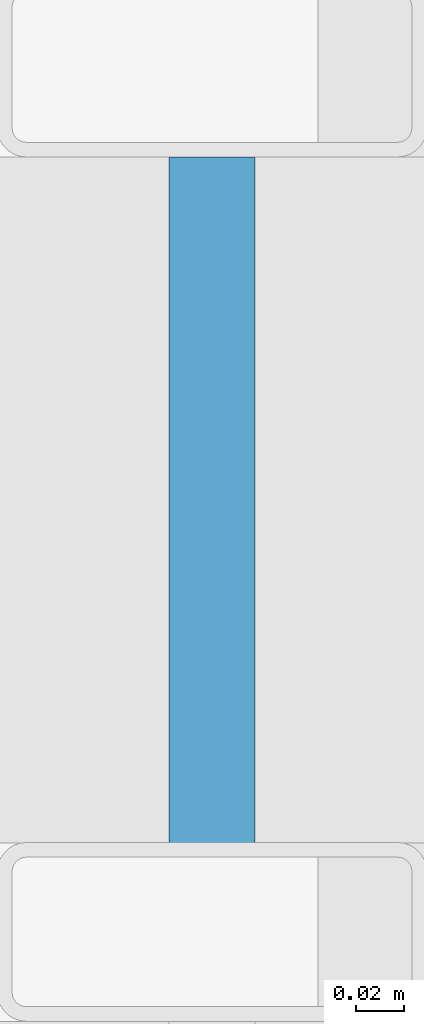
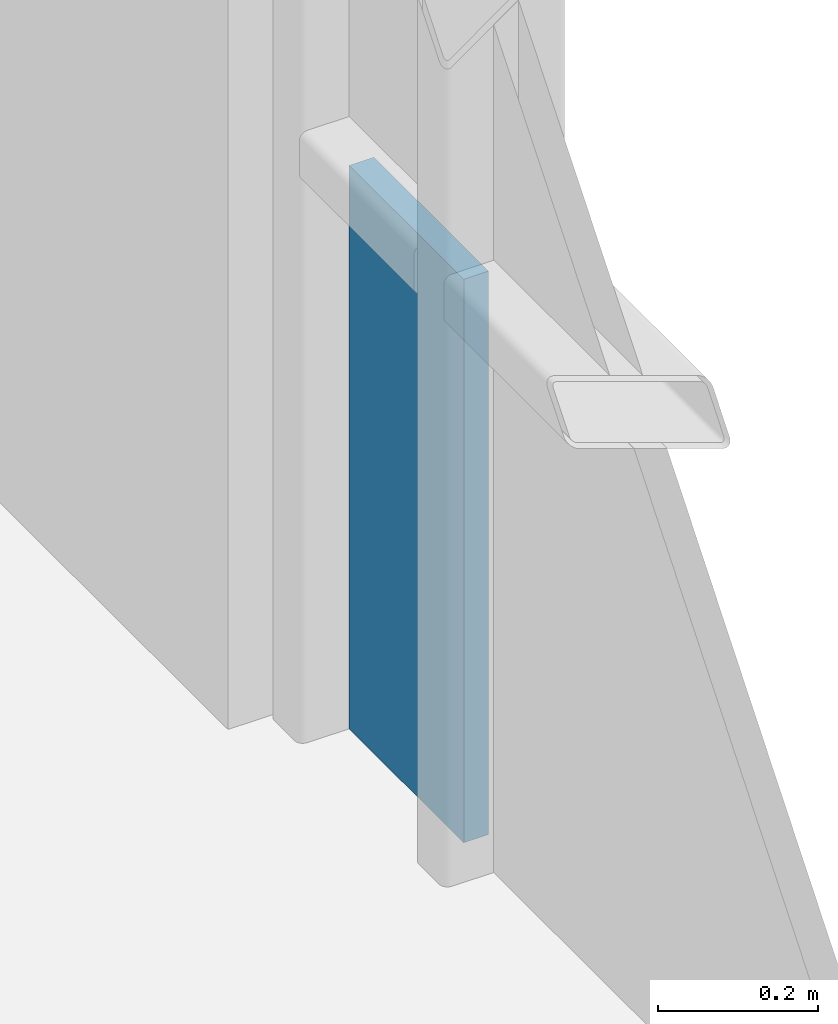
# One storey, part 13 of 18: 1 plate, 1 element without a shape of its own.
"""IFC4 building model written with IfcOpenShell, lengths in metres."""

import ifcopenshell
import ifcopenshell.guid

model = None  # the IFC model being written
_history = None  # IfcOwnerHistory: only IFC2X3 demands one
_inside = {}  # id of a spatial element -> (the spatial element, [elements in it])
_under = {}  # id of a project, library or spatial element -> (it, [spatial elements below it])
_declared = {}  # id of a project -> (the project, [libraries it declares])
_typed = {}  # id of a type object -> (the type object, [elements of that type])
_made_of = {}  # id of a material, layer set ... -> (it, [elements and type objects made of it])


def new_model(schema):
    """Start an empty IFC model of exactly this schema.

    Asked for "IFC4X3", IfcOpenShell would pick the latest addendum, in which some entities
    have other attributes; the version numbers below select the first issue.
    IFC2X3 requires an IfcOwnerHistory on every rooted entity: one is made here for all.
    """
    global model, _history
    if schema == "IFC4X3":
        model = ifcopenshell.file(schema_version=(4, 3, 0, 0))
    else:
        model = ifcopenshell.file(schema=schema)
    _inside.clear()
    _under.clear()
    _declared.clear()
    _typed.clear()
    _made_of.clear()
    _history = None
    if model.schema == "IFC2X3":
        org = make("IfcOrganization", Name="unknown")
        user = make(
            "IfcPersonAndOrganization",
            ThePerson=make("IfcPerson", FamilyName="unknown"),
            TheOrganization=org,
        )
        app = make(
            "IfcApplication",
            ApplicationDeveloper=org,
            Version="unknown",
            ApplicationFullName="unknown",
            ApplicationIdentifier="unknown",
        )
        _history = make(
            "IfcOwnerHistory",
            OwningUser=user,
            OwningApplication=app,
            ChangeAction="ADDED",
            CreationDate=0,
        )
    return model


def make(cls, **values):
    """One entity of the class cls with the attributes given. An attribute that is None is left unset."""
    return model.create_entity(
        cls, **{name: value for name, value in values.items() if value is not None}
    )


def rooted(cls, **values):
    """An entity with a GlobalId (a new one), such as an element, a storey or a relation."""
    return make(cls, GlobalId=ifcopenshell.guid.new(), OwnerHistory=_history, **values)


def si_unit(unit_type, name, prefix=None):
    """IfcSIUnit, for example si_unit("LENGTHUNIT", "METRE", prefix="MILLI")."""
    return make("IfcSIUnit", UnitType=unit_type, Prefix=prefix, Name=name)


def assignment(units):
    """IfcUnitAssignment: the units of a project."""
    return None if units is None else make("IfcUnitAssignment", Units=units)


def point(xyz):
    """IfcCartesianPoint."""
    return None if xyz is None else make("IfcCartesianPoint", Coordinates=xyz)


def direction(xyz):
    """IfcDirection."""
    return None if xyz is None else make("IfcDirection", DirectionRatios=xyz)


def frame(location, z_axis=None, x_axis=None):
    """IfcAxis2Placement3D, a coordinate frame: its origin and axes. An axis left out is left unset."""
    return make(
        "IfcAxis2Placement3D",
        Location=point(location),
        Axis=direction(z_axis),
        RefDirection=direction(x_axis),
    )


def frame_2d(location, x_axis=None):
    """IfcAxis2Placement2D, a coordinate frame in the plane: its origin and x axis."""
    return make(
        "IfcAxis2Placement2D", Location=point(location), RefDirection=direction(x_axis)
    )


def origin():
    """The frame at (0, 0, 0) with its axes left unset."""
    return frame((0.0, 0.0, 0.0))


def origin_2d():
    """The frame at (0, 0) in the plane with its x axis left unset."""
    return frame_2d((0.0, 0.0))


def place(relative_to, where):
    """IfcLocalPlacement: puts the frame where relative to a parent placement (None: the world)."""
    return make(
        "IfcLocalPlacement", PlacementRelTo=relative_to, RelativePlacement=where
    )


def context(
    kind, dimensions, precision=None, world=None, true_north=None, identifier=None
):
    """IfcGeometricRepresentationContext, for example the 3D "Model" context."""
    return make(
        "IfcGeometricRepresentationContext",
        ContextIdentifier=identifier,
        ContextType=kind,
        CoordinateSpaceDimension=dimensions,
        Precision=precision,
        WorldCoordinateSystem=world,
        TrueNorth=true_north,
    )


def subcontext(parent, identifier, kind, view, scale=None):
    """IfcGeometricRepresentationSubContext, for example "Body" below "Model"."""
    return make(
        "IfcGeometricRepresentationSubContext",
        ContextIdentifier=identifier,
        ContextType=kind,
        ParentContext=parent,
        TargetScale=scale,
        TargetView=view,
    )


def project(units=None, contexts=None):
    """IfcProject with its units and contexts."""
    return rooted(
        "IfcProject",
        Name="project",
        RepresentationContexts=contexts,
        UnitsInContext=assignment(units),
    )


def spatial(cls, under=None, at=None, **own):
    """A site, building, storey or space (cls), placed at a placement, below another one or the project."""
    s = rooted(cls, ObjectPlacement=at, **own)
    if under is not None:
        _under.setdefault(under.id(), (under, []))[1].append(s)
    return s


def profile(cls, at=None, kind="AREA", **sizes):
    """A parametric profile (cls). Its sizes go by their IFC names, for example OverallWidth=200.0."""
    return make(cls, ProfileType=kind, Position=at, **sizes)


def rectangle(**sizes):
    """IfcRectangleProfileDef."""
    return profile("IfcRectangleProfileDef", **sizes)


def extrude(swept, where, along, depth):
    """IfcExtrudedAreaSolid: the profile swept, set in the frame where, extruded along a direction by depth."""
    return make(
        "IfcExtrudedAreaSolid",
        SweptArea=swept,
        Position=where,
        ExtrudedDirection=direction(along),
        Depth=depth,
    )


def shape(context_of_items, identifier, shape_type, items):
    """IfcShapeRepresentation: the items that make up one representation, for example the "Body"."""
    return make(
        "IfcShapeRepresentation",
        ContextOfItems=context_of_items,
        RepresentationIdentifier=identifier,
        RepresentationType=shape_type,
        Items=items,
    )


def material(Name=None, Category=None):
    """IfcMaterial."""
    return make("IfcMaterial", Name=Name, Category=Category)


def layer(
    of_material, thickness, ventilated=None, Name=None, Category=None, Priority=None
):
    """IfcMaterialLayer: one layer of a wall or slab, of a material (None: an air gap)."""
    return make(
        "IfcMaterialLayer",
        Material=of_material,
        LayerThickness=thickness,
        IsVentilated=ventilated,
        Name=Name,
        Category=Category,
        Priority=Priority,
    )


def layer_set(layers, Name=None):
    """IfcMaterialLayerSet."""
    return make("IfcMaterialLayerSet", MaterialLayers=layers, LayerSetName=Name)


def made_of(thing, what):
    """Note that an element or type object is made of a material, layer set ...; save() writes the relation."""
    if what is not None:
        _made_of.setdefault(what.id(), (what, []))[1].append(thing)
    return thing


def type_object(cls, material=None, **own):
    """A type object (cls), such as IfcWallType, which elements share."""
    return made_of(rooted(cls, **own), material)


def element(
    cls,
    number,
    at=None,
    inside=None,
    cuts=None,
    type_object=None,
    material=None,
    context=None,
    identifier="Body",
    shape_type=None,
    held_by="IfcProductDefinitionShape",
    body=None,
    shapes=None,
    **own,
):
    """One element of the class cls, such as IfcWall. Its Tag is "e" and its number.

    at: its placement. inside: the storey or other place that contains it. cuts: it is an
    opening in that element (IfcRelVoidsElement). A single representation is given by context,
    identifier, shape_type and body (its items); several are given by shapes. held_by: the class
    of the entity that holds the representations. save() writes the other relations.
    """
    e = rooted(cls, Tag="e%d" % number, ObjectPlacement=at, **own)
    if body is not None:
        shapes = [shape(context, identifier, shape_type, body)]
    if shapes is not None:
        e.Representation = make(held_by, Representations=shapes)
    if inside is not None:
        _inside.setdefault(inside.id(), (inside, []))[1].append(e)
    if cuts is not None:
        rooted(
            "IfcRelVoidsElement", RelatingBuildingElement=cuts, RelatedOpeningElement=e
        )
    if type_object is not None:
        _typed.setdefault(type_object.id(), (type_object, []))[1].append(e)
    return made_of(e, material)


def aggregate(whole, parts):
    """IfcRelAggregates: a whole, such as a stair, and the parts it consists of."""
    return rooted("IfcRelAggregates", RelatingObject=whole, RelatedObjects=parts)


def save(model, path):
    """Write the relations noted so far, then the file.

    IfcRelAggregates (storeys below a building ...), IfcRelContainedInSpatialStructure (elements
    in a storey), IfcRelDefinesByType, IfcRelAssociatesMaterial and IfcRelDeclares: one each for
    every whole, place, type object, material and project.
    """
    for whole, parts in _under.values():
        aggregate(whole, parts)
    for where, things in _inside.values():
        rooted(
            "IfcRelContainedInSpatialStructure",
            RelatedElements=things,
            RelatingStructure=where,
        )
    for kind, things in _typed.values():
        rooted("IfcRelDefinesByType", RelatedObjects=things, RelatingType=kind)
    for what, things in _made_of.values():
        rooted("IfcRelAssociatesMaterial", RelatedObjects=things, RelatingMaterial=what)
    for by, libraries in _declared.values():
        rooted("IfcRelDeclares", RelatingContext=by, RelatedDefinitions=libraries)
    model.write(path)


model = new_model("IFC4")

# Units and contexts
model_context = context("Model", 3, precision=1e-05, world=origin(), true_north=direction((0.0, 1.0)))
body_context = subcontext(model_context, "Body", "Model", "MODEL_VIEW")
ifc_project = project(units=[si_unit("LENGTHUNIT", "METRE"), si_unit("AREAUNIT", "SQUARE_METRE"), si_unit("VOLUMEUNIT", "CUBIC_METRE"), si_unit("PLANEANGLEUNIT", "RADIAN"), si_unit("MASSUNIT", "GRAM", prefix="KILO")], contexts=[model_context])

# Site, building, storey
site_placement = place(None, origin())
site = spatial("IfcSite", under=ifc_project, at=site_placement, CompositionType="ELEMENT")
building_placement = place(site_placement, origin())
building = spatial("IfcBuilding", under=site, at=building_placement, Name="Brevholm Reach", CompositionType="ELEMENT")
storey_placement = place(building_placement, frame((0.0, 0.0, 240.050048828125)))
storey = spatial("IfcBuildingStorey", under=building, at=storey_placement, Name="L73", CompositionType="ELEMENT", Elevation=240.050048828125)

# Curtain wall, plate
ifc_material_1 = material(Name="Dark Anodised Aluminium 6063-T6 and Solar-Control Glass", Category="aluminium")
ifc_layer_1 = layer(ifc_material_1, 0.179931640625)
ifc_layer_set_1 = layer_set([ifc_layer_1], Name="Dark Anodised Aluminium 6063-T6 and Solar-Control Glass")
curtain_wall_type = type_object("IfcCurtainWallType", Name="CW-05", PredefinedType="NOTDEFINED", material=ifc_layer_set_1)
curtain_wall_placement = place(storey_placement, origin())
curtain_wall = element("IfcCurtainWall", 1, at=curtain_wall_placement, inside=storey, type_object=curtain_wall_type, Name="L73 Curtain Wall CW-05", PredefinedType="NOTDEFINED")
ifc_material_2 = material(Name="Low-Iron Laminated Acoustic Glass", Category="glass")
ifc_layer_2 = layer(ifc_material_2, 0.035888671875)
ifc_layer_set_2 = layer_set([ifc_layer_2], Name="Low-Iron Laminated Acoustic Glass")
plate_type = type_object("IfcPlateType", Name="CWP-GLZ-36", PredefinedType="CURTAIN_PANEL", material=ifc_layer_set_2)
plate_placement = place(storey_placement, frame((59.85009765625, 22.731201171875, 0.0), z_axis=(0.0, 0.0, 1.0), x_axis=(0.0, 1.0, 0.0)))
plate = element("IfcPlate", 2, at=plate_placement, type_object=plate_type, Name="CP-02 Glazing Panel 5.1", PredefinedType="CURTAIN_PANEL", context=body_context, shape_type="SweptSolid", body=[
    extrude(rectangle(XDim=0.28759765625, YDim=0.035888671875, at=origin_2d()), origin(), (0.0, 0.0, 1.0), 0.862548828125),
])
aggregate(curtain_wall, [plate])

save(model, "model.ifc")
